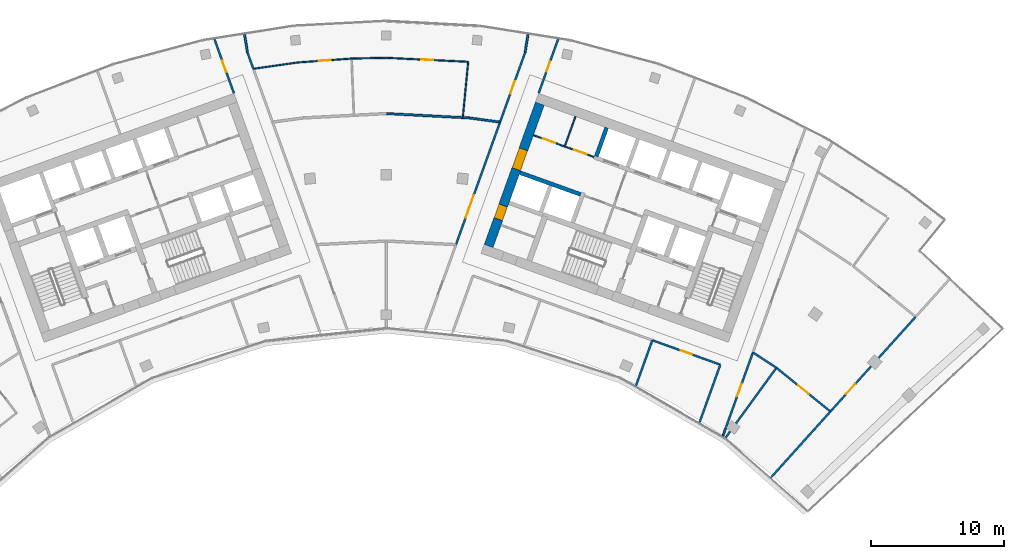
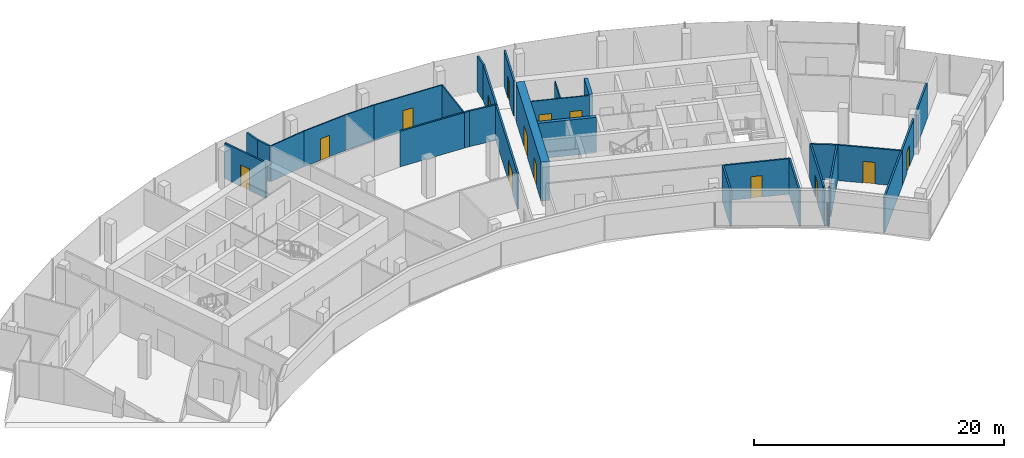
# One storey, part 15 of 18: 32 walls, 14 doors, 14 openings.
"""IFC4 building model written with IfcOpenShell, lengths in metres."""

from ifc_helpers import new_model, si_unit, direction, frame, frame_2d, origin, place, context, subcontext, project, spatial, rectangle, extrude, material, layer, layer_set, type_object, element, fill, save


model = new_model("IFC4")

# Units and contexts
model_context = context("Model", 3, precision=1e-05, world=origin(), true_north=direction((0.0, 1.0)))
body_context = subcontext(model_context, "Body", "Model", "MODEL_VIEW")
ifc_project = project(units=[si_unit("LENGTHUNIT", "METRE"), si_unit("AREAUNIT", "SQUARE_METRE"), si_unit("VOLUMEUNIT", "CUBIC_METRE"), si_unit("PLANEANGLEUNIT", "RADIAN"), si_unit("MASSUNIT", "GRAM", prefix="KILO")], contexts=[model_context])

# Site, building, storey
site_placement = place(None, origin())
site = spatial("IfcSite", under=ifc_project, at=site_placement, CompositionType="ELEMENT")
building_placement = place(site_placement, origin())
building = spatial("IfcBuilding", under=site, at=building_placement, Name="Stone Belt Terrace Tower", CompositionType="ELEMENT")
storey_placement = place(building_placement, frame((0.0, 0.0, 261.800048828125)))
storey = spatial("IfcBuildingStorey", under=building, at=storey_placement, Name="L63", CompositionType="ELEMENT", Elevation=261.800048828125)

# Wall, openings, doors
ifc_material_1 = material(Name="Plasterboard partition")
ifc_layer_1 = layer(ifc_material_1, 0.10009765625)
ifc_layer_set_1 = layer_set([ifc_layer_1], Name="Core partition 100")
wall_type_1 = type_object("IfcWallType", Name="Core partition 100", PredefinedType="PARTITIONING", material=ifc_layer_set_1)
wall_1_placement = place(storey_placement, frame((15.648681640625, 56.32861328125, 0.0), z_axis=(0.0, 0.0, 1.0), x_axis=(-0.940905377977, 0.338669558262, 0.0)))
wall_1 = element("IfcWall", 1, at=wall_1_placement, inside=storey, type_object=wall_type_1, Name="Core B wall", PredefinedType="PARTITIONING", context=body_context, shape_type="SweptSolid", body=[
    extrude(rectangle(XDim=4.85009765625, YDim=0.10009765625, at=frame_2d((2.425048828125, 0.0))), origin(), (0.0, 0.0, 1.0), 3.47998046875),
])
opening_1_placement = place(wall_1_placement, frame((0.60009765625, 0.0, 0.0)))
opening_1 = element("IfcOpeningElement", 2, at=opening_1_placement, cuts=wall_1, Name="Opening L63-C16", PredefinedType="OPENING", context=body_context, shape_type="SweptSolid", body=[
    extrude(rectangle(XDim=1.0, YDim=2.10009765625, at=frame_2d((0.5, 1.050048828125))), frame((0.0, 0.06005859375, 0.0), z_axis=(0.0, -1.0, 0.0), x_axis=(1.0, 0.0, 0.0)), (0.0, 0.0, 1.0), 0.1201171875),
])
opening_2_placement = place(wall_1_placement, frame((3.10009765625, 0.0, 0.0)))
opening_2 = element("IfcOpeningElement", 3, at=opening_2_placement, cuts=wall_1, Name="Opening L63-C17", PredefinedType="OPENING", context=body_context, shape_type="SweptSolid", body=[
    extrude(rectangle(XDim=1.0, YDim=2.10009765625, at=frame_2d((0.5, 1.050048828125))), frame((0.0, 0.06005859375, 0.0), z_axis=(0.0, -1.0, 0.0), x_axis=(1.0, 0.0, 0.0)), (0.0, 0.0, 1.0), 0.1201171875),
])
ifc_material_2 = material(Name="Timber door leaf", Category="wood")
door_type_1 = type_object("IfcDoorType", Name="Core room door 1000", OperationType="SINGLE_SWING_LEFT", PredefinedType="DOOR", material=ifc_material_2)
door_1_placement = place(opening_1_placement, origin())
door_1 = element("IfcDoor", 4, at=door_1_placement, inside=storey, type_object=door_type_1, Name="Door to Print and copy room core B", OperationType="SINGLE_SWING_LEFT", OverallHeight=2.10009765625, OverallWidth=1.0, PredefinedType="DOOR", context=body_context, shape_type="SweptSolid", body=[
    extrude(rectangle(XDim=1.0, YDim=2.10009765625, at=frame_2d((0.5, 1.050048828125))), frame((0.0, 0.02490234375, 0.0), z_axis=(0.0, -1.0, 0.0), x_axis=(1.0, 0.0, 0.0)), (0.0, 0.0, 1.0), 0.050048828125),
])
fill(opening_1, door_1)
door_2_placement = place(opening_2_placement, origin())
door_2 = element("IfcDoor", 5, at=door_2_placement, inside=storey, type_object=door_type_1, Name="Door to Pantry core B", OperationType="SINGLE_SWING_RIGHT", OverallHeight=2.10009765625, OverallWidth=1.0, PredefinedType="DOOR", context=body_context, shape_type="SweptSolid", body=[
    extrude(rectangle(XDim=1.0, YDim=2.10009765625, at=frame_2d((0.5, 1.050048828125))), frame((0.0, 0.02490234375, 0.0), z_axis=(0.0, -1.0, 0.0), x_axis=(1.0, 0.0, 0.0)), (0.0, 0.0, 1.0), 0.050048828125),
])
fill(opening_2, door_2)

# Wall
wall_2_placement = place(storey_placement, frame((13.45458984375, 57.171630859375, 0.0), z_axis=(0.0, 0.0, 1.0), x_axis=(0.338579668317, 0.940937728121, 0.0)))
element("IfcWall", 6, at=wall_2_placement, inside=storey, type_object=wall_type_1, Name="Core B wall", PredefinedType="PARTITIONING", context=body_context, shape_type="SweptSolid", body=[
    extrude(rectangle(XDim=2.35009765625, YDim=0.10009765625, at=frame_2d((1.175048828125, 0.0))), origin(), (0.0, 0.0, 1.0), 3.47998046875),
])

# Wall, openings, doors
ifc_material_3 = material(Name="Concrete B60", Category="concrete")
ifc_layer_2 = layer(ifc_material_3, 0.699951171875)
ifc_layer_set_2 = layer_set([ifc_layer_2], Name="Core wall 700 B60")
wall_type_2 = type_object("IfcWallType", Name="Core wall 700 B60", PredefinedType="SHEAR", material=ifc_layer_set_2)
wall_3_placement = place(storey_placement, frame((7.70849609375, 49.621337890625, 0.0), z_axis=(0.0, 0.0, 1.0), x_axis=(0.338606471282, 0.940928083121, 0.0)))
wall_3 = element("IfcWall", 7, at=wall_3_placement, inside=storey, type_object=wall_type_2, Name="Core B wall end_a L63", PredefinedType="SHEAR", context=body_context, shape_type="SweptSolid", body=[
    extrude(rectangle(XDim=11.39990234375, YDim=0.699951171875, at=frame_2d((5.699951171875, 0.0))), origin(), (0.0, 0.0, 1.0), 3.800048828125),
])
opening_3_placement = place(wall_3_placement, frame((6.14990234375, 0.0, 0.0)))
opening_3 = element("IfcOpeningElement", 8, at=opening_3_placement, cuts=wall_3, Name="Opening L63-C23", PredefinedType="OPENING", context=body_context, shape_type="SweptSolid", body=[
    extrude(rectangle(XDim=1.60009765625, YDim=2.10009765625, at=frame_2d((0.800048828125, 1.050048828125))), frame((0.0, 0.35986328125, 0.0), z_axis=(0.0, -1.0, 0.0), x_axis=(1.0, 0.0, 0.0)), (0.0, 0.0, 1.0), 0.719970703125),
])
opening_4_placement = place(wall_3_placement, frame((2.14990234375, 0.0, 0.0)))
opening_4 = element("IfcOpeningElement", 9, at=opening_4_placement, cuts=wall_3, Name="Opening L63-C29", PredefinedType="OPENING", context=body_context, shape_type="SweptSolid", body=[
    extrude(rectangle(XDim=1.10009765625, YDim=2.10009765625, at=frame_2d((0.550048828125, 1.050048828125))), frame((0.0, 0.35986328125, 0.0), z_axis=(0.0, -1.0, 0.0), x_axis=(1.0, 0.0, 0.0)), (0.0, 0.0, 1.0), 0.719970703125),
])
door_type_2 = type_object("IfcDoorType", Name="Core room door 1100", OperationType="SINGLE_SWING_LEFT", PredefinedType="DOOR", material=ifc_material_2)
door_3_placement = place(opening_4_placement, origin())
door_3 = element("IfcDoor", 10, at=door_3_placement, inside=storey, type_object=door_type_2, Name="Door to Accessible WC core B", OperationType="SINGLE_SWING_RIGHT", OverallHeight=2.10009765625, OverallWidth=1.10009765625, PredefinedType="DOOR", context=body_context, shape_type="SweptSolid", body=[
    extrude(rectangle(XDim=1.10009765625, YDim=2.10009765625, at=frame_2d((0.550048828125, 1.050048828125))), frame((0.0, 0.330078125, 0.0), z_axis=(0.0, -1.0, 0.0), x_axis=(1.0, 0.0, 0.0)), (0.0, 0.0, 1.0), 0.659912109375),
])
fill(opening_4, door_3)
ifc_material_4 = material(Name="Glazed aluminium door leaf", Category="aluminium")
door_type_3 = type_object("IfcDoorType", Name="Lift lobby entrance door 1600", OperationType="DOUBLE_DOOR_SINGLE_SWING", PredefinedType="DOOR", material=ifc_material_4)
door_4_placement = place(opening_3_placement, origin())
door_4 = element("IfcDoor", 11, at=door_4_placement, inside=storey, type_object=door_type_3, Name="Lift lobby entrance door core B", OperationType="DOUBLE_DOOR_SINGLE_SWING", OverallHeight=2.10009765625, OverallWidth=1.60009765625, PredefinedType="DOOR", context=body_context, shape_type="SweptSolid", body=[
    extrude(rectangle(XDim=1.60009765625, YDim=2.10009765625, at=frame_2d((0.800048828125, 1.050048828125))), frame((0.0, 0.330078125, 0.0), z_axis=(0.0, -1.0, 0.0), x_axis=(1.0, 0.0, 0.0)), (0.0, 0.0, 1.0), 0.659912109375),
])
fill(opening_3, door_4)

# Walls
ifc_material_5 = material(Name="Concrete B80", Category="concrete")
ifc_layer_3 = layer(ifc_material_5, 0.300048828125)
ifc_layer_set_3 = layer_set([ifc_layer_3], Name="Lift shaft wall 300")
wall_type_3 = type_object("IfcWallType", Name="Lift shaft wall 300", PredefinedType="SHEAR", material=ifc_layer_set_3)
wall_4_placement = place(storey_placement, frame((14.6328125, 53.506103515625, 0.0), z_axis=(0.0, 0.0, 1.0), x_axis=(-0.940931684323, 0.338596464007, 0.0)))
element("IfcWall", 12, at=wall_4_placement, inside=storey, type_object=wall_type_3, Name="Core B wall", PredefinedType="SHEAR", context=body_context, shape_type="SweptSolid", body=[
    extrude(rectangle(XDim=4.849609375, YDim=0.300048828125, at=frame_2d((2.4248046875, 0.0))), origin(), (0.0, 0.0, 1.0), 3.47998046875),
])
wall_5_placement = place(storey_placement, frame((15.82373046875, 56.3720703125, 0.0), z_axis=(0.0, 0.0, 1.0), x_axis=(0.338621735342, 0.94092258999, 0.0)))
element("IfcWall", 13, at=wall_5_placement, inside=storey, type_object=wall_type_3, Name="Core B wall", PredefinedType="SHEAR", context=body_context, shape_type="SweptSolid", body=[
    extrude(rectangle(XDim=2.300048828125, YDim=0.300048828125, at=frame_2d((1.14990234375, 0.0))), origin(), (0.0, 0.0, 1.0), 3.47998046875),
])

# Wall, opening, door
ifc_material_6 = material(Name="Gypsum board partition")
ifc_layer_4 = layer(ifc_material_6, 0.10009765625)
ifc_layer_set_4 = layer_set([ifc_layer_4], Name="PARTITION 100")
wall_type_4 = type_object("IfcWallType", Name="PARTITION 100", PredefinedType="PARTITIONING", material=ifc_layer_set_4)
wall_6_placement = place(storey_placement, frame((-2.615966796875, 63.74609375, 0.0), z_axis=(0.0, 0.0, 1.0), x_axis=(-0.997341183584, -0.072873613378, 0.0)))
wall_6 = element("IfcWall", 14, at=wall_6_placement, inside=storey, type_object=wall_type_4, Name="L63/wall/i079", PredefinedType="PARTITIONING", context=body_context, shape_type="SweptSolid", body=[
    extrude(rectangle(XDim=4.063720703125, YDim=0.10009765625, at=frame_2d((2.03173828125, 0.0))), origin(), (0.0, 0.0, 1.0), 3.47998046875),
])
opening_5_placement = place(wall_6_placement, frame((1.581787109375, 0.0, 0.0)))
opening_5 = element("IfcOpeningElement", 15, at=opening_5_placement, cuts=wall_6, Name="Opening D-E1-28", PredefinedType="OPENING", context=body_context, shape_type="SweptSolid", body=[
    extrude(rectangle(XDim=0.89990234375, YDim=2.10009765625, at=frame_2d((0.449951171875, 1.050048828125))), frame((0.0, 0.06005859375, 0.0), z_axis=(0.0, -1.0, 0.0), x_axis=(1.0, 0.0, 0.0)), (0.0, 0.0, 1.0), 0.1201171875),
])
door_type_4 = type_object("IfcDoorType", Name="OFFICE DOOR 900 X 2100", OperationType="NOTDEFINED", PredefinedType="DOOR", material=ifc_material_2)
door_5_placement = place(opening_5_placement, origin())
door_5 = element("IfcDoor", 16, at=door_5_placement, inside=storey, type_object=door_type_4, Name="L63/door/i28", OperationType="SINGLE_SWING_RIGHT", OverallHeight=2.10009765625, OverallWidth=0.89990234375, PredefinedType="DOOR", context=body_context, shape_type="SweptSolid", body=[
    extrude(rectangle(XDim=0.89990234375, YDim=2.10009765625, at=frame_2d((0.449951171875, 1.050048828125))), frame((0.0, 0.02490234375, 0.0), z_axis=(0.0, -1.0, 0.0), x_axis=(1.0, 0.0, 0.0)), (0.0, 0.0, 1.0), 0.050048828125),
])
fill(opening_5, door_5)

# Walls
wall_7_placement = place(storey_placement, frame((-6.6689453125, 63.449951171875, 0.0), z_axis=(0.0, 0.0, 1.0), x_axis=(-0.989995655043, -0.141097849012, 0.0)))
element("IfcWall", 17, at=wall_7_placement, inside=storey, type_object=wall_type_4, Name="L63/wall/i080", PredefinedType="PARTITIONING", context=body_context, shape_type="SweptSolid", body=[
    extrude(rectangle(XDim=3.381103515625, YDim=0.10009765625, at=frame_2d((1.6904296875, 0.0))), origin(), (0.0, 0.0, 1.0), 3.47998046875),
])
wall_8_placement = place(storey_placement, frame((5.761962890625, 59.298095703125, 0.0), z_axis=(0.0, 0.0, 1.0), x_axis=(0.096841544276, 0.995299811766, 0.0)))
element("IfcWall", 18, at=wall_8_placement, inside=storey, type_object=wall_type_4, Name="L63/wall/i081", PredefinedType="PARTITIONING", context=body_context, shape_type="SweptSolid", body=[
    extrude(rectangle(XDim=4.22265625, YDim=0.10009765625, at=frame_2d((2.111328125, 0.0))), origin(), (0.0, 0.0, 1.0), 3.47998046875),
])

# Wall, opening, door
wall_9_placement = place(storey_placement, frame((6.1708984375, 63.5009765625, 0.0), z_axis=(0.0, 0.0, 1.0), x_axis=(-0.998827639329, 0.048408128587, 0.0)))
wall_9 = element("IfcWall", 19, at=wall_9_placement, inside=storey, type_object=wall_type_4, Name="L63/wall/i082", PredefinedType="PARTITIONING", context=body_context, shape_type="SweptSolid", body=[
    extrude(rectangle(XDim=6.17822265625, YDim=0.10009765625, at=frame_2d((3.089111328125, 0.0))), origin(), (0.0, 0.0, 1.0), 3.47998046875),
])
opening_6_placement = place(wall_9_placement, frame((2.63916015625, 0.0, 0.0)))
opening_6 = element("IfcOpeningElement", 20, at=opening_6_placement, cuts=wall_9, Name="Opening D-E1-29", PredefinedType="OPENING", context=body_context, shape_type="SweptSolid", body=[
    extrude(rectangle(XDim=0.89990234375, YDim=2.10009765625, at=frame_2d((0.449951171875, 1.050048828125))), frame((0.0, 0.06005859375, 0.0), z_axis=(0.0, -1.0, 0.0), x_axis=(1.0, 0.0, 0.0)), (0.0, 0.0, 1.0), 0.1201171875),
])
door_6_placement = place(opening_6_placement, origin())
door_6 = element("IfcDoor", 21, at=door_6_placement, inside=storey, type_object=door_type_4, Name="L63/door/i29", OperationType="SINGLE_SWING_RIGHT", OverallHeight=2.10009765625, OverallWidth=0.89990234375, PredefinedType="DOOR", context=body_context, shape_type="SweptSolid", body=[
    extrude(rectangle(XDim=0.89990234375, YDim=2.10009765625, at=frame_2d((0.449951171875, 1.050048828125))), frame((0.0, 0.02490234375, 0.0), z_axis=(0.0, -1.0, 0.0), x_axis=(1.0, 0.0, 0.0)), (0.0, 0.0, 1.0), 0.050048828125),
])
fill(opening_6, door_6)

# Wall
wall_10_placement = place(storey_placement, frame((0.0, 63.800048828125, 0.0), z_axis=(0.0, 0.0, 1.0), x_axis=(-0.999787366511, -0.020620906019, 0.0)))
element("IfcWall", 22, at=wall_10_placement, inside=storey, type_object=wall_type_4, Name="L63/wall/i083", PredefinedType="PARTITIONING", context=body_context, shape_type="SweptSolid", body=[
    extrude(rectangle(XDim=2.616455078125, YDim=0.10009765625, at=frame_2d((1.30810546875, 0.0))), origin(), (0.0, 0.0, 1.0), 3.47998046875),
])

# Wall, opening, door
ifc_layer_5 = layer(ifc_material_6, 0.14990234375)
ifc_layer_set_5 = layer_set([ifc_layer_5], Name="PARTITION 150 EI 60")
wall_type_5 = type_object("IfcWallType", Name="PARTITION 150 EI 60", PredefinedType="PARTITIONING", material=ifc_layer_set_5)
wall_11_placement = place(storey_placement, frame((-11.47607421875, 61.125, 0.0), z_axis=(0.0, 0.0, 1.0), x_axis=(-0.338779570005, 0.940865773077, 0.0)))
wall_11 = element("IfcWall", 23, at=wall_11_placement, inside=storey, type_object=wall_type_5, Name="L63/wall/i010", PredefinedType="PARTITIONING", context=body_context, shape_type="SweptSolid", body=[
    extrude(rectangle(XDim=4.315185546875, YDim=0.14990234375, at=frame_2d((2.15771484375, 0.0))), origin(), (0.0, 0.0, 1.0), 3.47998046875),
])
opening_7_placement = place(wall_11_placement, frame((1.70751953125, 0.0, 0.0)))
opening_7 = element("IfcOpeningElement", 24, at=opening_7_placement, cuts=wall_11, Name="Opening D-E1-05", PredefinedType="OPENING", context=body_context, shape_type="SweptSolid", body=[
    extrude(rectangle(XDim=0.89990234375, YDim=2.10009765625, at=frame_2d((0.449951171875, 1.050048828125))), frame((0.0, 0.0849609375, 0.0), z_axis=(0.0, -1.0, 0.0), x_axis=(1.0, 0.0, 0.0)), (0.0, 0.0, 1.0), 0.169921875),
])
door_7_placement = place(opening_7_placement, origin())
door_7 = element("IfcDoor", 25, at=door_7_placement, inside=storey, type_object=door_type_4, Name="L63/door/i05", OperationType="SINGLE_SWING_RIGHT", OverallHeight=2.10009765625, OverallWidth=0.89990234375, PredefinedType="DOOR", context=body_context, shape_type="SweptSolid", body=[
    extrude(rectangle(XDim=0.89990234375, YDim=2.10009765625, at=frame_2d((0.449951171875, 1.050048828125))), frame((0.0, 0.02490234375, 0.0), z_axis=(0.0, -1.0, 0.0), x_axis=(1.0, 0.0, 0.0)), (0.0, 0.0, 1.0), 0.050048828125),
])
fill(opening_7, door_7)

# Walls
wall_12_placement = place(storey_placement, frame((-10.676025390625, 65.544677734375, 0.0), z_axis=(0.0, 0.0, 1.0), x_axis=(0.161206587406, -0.986920683833, 0.0)))
element("IfcWall", 26, at=wall_12_placement, inside=storey, type_object=wall_type_5, Name="L63/wall/i012", PredefinedType="PARTITIONING", context=body_context, shape_type="SweptSolid", body=[
    extrude(rectangle(XDim=1.364501953125, YDim=0.14990234375, at=frame_2d((0.68212890625, 0.0))), origin(), (0.0, 0.0, 1.0), 3.47998046875),
])
wall_13_placement = place(storey_placement, frame((-10.4560546875, 64.197021484375, 0.0), z_axis=(0.0, 0.0, 1.0), x_axis=(0.338937678116, -0.94080882774, 0.0)))
element("IfcWall", 27, at=wall_13_placement, inside=storey, type_object=wall_type_5, Name="L63/wall/i013", PredefinedType="PARTITIONING", context=body_context, shape_type="SweptSolid", body=[
    extrude(rectangle(XDim=1.307373046875, YDim=0.14990234375, at=frame_2d((0.65380859375, 0.0))), origin(), (0.0, 0.0, 1.0), 3.47998046875),
])

# Wall, opening, door
wall_14_placement = place(storey_placement, frame((12.93798828125, 65.18505859375, 0.0), z_axis=(0.0, 0.0, 1.0), x_axis=(-0.338779570005, -0.940865773077, 0.0)))
wall_14 = element("IfcWall", 28, at=wall_14_placement, inside=storey, type_object=wall_type_5, Name="L63/wall/i023", PredefinedType="PARTITIONING", context=body_context, shape_type="SweptSolid", body=[
    extrude(rectangle(XDim=4.315185546875, YDim=0.14990234375, at=frame_2d((2.15771484375, 0.0))), origin(), (0.0, 0.0, 1.0), 3.47998046875),
])
opening_8_placement = place(wall_14_placement, frame((1.757568359375, 0.0, 0.0)))
opening_8 = element("IfcOpeningElement", 29, at=opening_8_placement, cuts=wall_14, Name="Opening D-E1-09", PredefinedType="OPENING", context=body_context, shape_type="SweptSolid", body=[
    extrude(rectangle(XDim=0.800048828125, YDim=2.10009765625, at=frame_2d((0.39990234375, 1.050048828125))), frame((0.0, 0.0849609375, 0.0), z_axis=(0.0, -1.0, 0.0), x_axis=(1.0, 0.0, 0.0)), (0.0, 0.0, 1.0), 0.169921875),
])
door_type_5 = type_object("IfcDoorType", Name="STORE DOOR 800 X 2100", OperationType="NOTDEFINED", PredefinedType="DOOR", material=ifc_material_2)
door_8_placement = place(opening_8_placement, origin())
door_8 = element("IfcDoor", 30, at=door_8_placement, inside=storey, type_object=door_type_5, Name="L63/door/i09", OperationType="SINGLE_SWING_RIGHT", OverallHeight=2.10009765625, OverallWidth=0.800048828125, PredefinedType="DOOR", context=body_context, shape_type="SweptSolid", body=[
    extrude(rectangle(XDim=0.800048828125, YDim=2.10009765625, at=frame_2d((0.39990234375, 1.050048828125))), frame((0.0, 0.02490234375, 0.0), z_axis=(0.0, -1.0, 0.0), x_axis=(1.0, 0.0, 0.0)), (0.0, 0.0, 1.0), 0.050048828125),
])
fill(opening_8, door_8)

wall_15_placement = place(storey_placement, frame((8.569091796875, 58.9541015625, 0.0), z_axis=(0.0, 0.0, 1.0), x_axis=(0.33864189196, 0.940915335729, 0.0)))
wall_15 = element("IfcWall", 31, at=wall_15_placement, inside=storey, type_object=wall_type_5, Name="L63/wall/i025", PredefinedType="PARTITIONING", context=body_context, shape_type="SweptSolid", body=[
    extrude(rectangle(XDim=5.572265625, YDim=0.14990234375, at=frame_2d((2.7861328125, 0.0))), origin(), (0.0, 0.0, 1.0), 3.47998046875),
])
opening_9_placement = place(wall_15_placement, frame((2.2861328125, 0.0, 0.0)))
opening_9 = element("IfcOpeningElement", 32, at=opening_9_placement, cuts=wall_15, Name="Opening D-E1-27", PredefinedType="OPENING", context=body_context, shape_type="SweptSolid", body=[
    extrude(rectangle(XDim=1.0, YDim=2.10009765625, at=frame_2d((0.5, 1.050048828125))), frame((0.0, 0.0849609375, 0.0), z_axis=(0.0, -1.0, 0.0), x_axis=(1.0, 0.0, 0.0)), (0.0, 0.0, 1.0), 0.169921875),
])
ifc_material_7 = material(Name="Timber fire door leaf", Category="wood")
door_type_6 = type_object("IfcDoorType", Name="TENANCY ENTRANCE DOOR 1000 X 2100", OperationType="NOTDEFINED", PredefinedType="DOOR", material=ifc_material_7)
door_9_placement = place(opening_9_placement, origin())
door_9 = element("IfcDoor", 33, at=door_9_placement, inside=storey, type_object=door_type_6, Name="L63/door/i27", OperationType="SINGLE_SWING_RIGHT", OverallHeight=2.10009765625, OverallWidth=1.0, PredefinedType="DOOR", context=body_context, shape_type="SweptSolid", body=[
    extrude(rectangle(XDim=1.0, YDim=2.10009765625, at=frame_2d((0.5, 1.050048828125))), frame((0.0, 0.02490234375, 0.0), z_axis=(0.0, -1.0, 0.0), x_axis=(1.0, 0.0, 0.0)), (0.0, 0.0, 1.0), 0.050048828125),
])
fill(opening_9, door_9)

# Wall
wall_16_placement = place(storey_placement, frame((10.4560546875, 64.197998046875, 0.0), z_axis=(0.0, 0.0, 1.0), x_axis=(0.161206587406, 0.986920683833, 0.0)))
element("IfcWall", 34, at=wall_16_placement, inside=storey, type_object=wall_type_5, Name="L63/wall/i026", PredefinedType="PARTITIONING", context=body_context, shape_type="SweptSolid", body=[
    extrude(rectangle(XDim=1.364501953125, YDim=0.14990234375, at=frame_2d((0.68212890625, 0.0))), origin(), (0.0, 0.0, 1.0), 3.47998046875),
])

# Wall, opening, door
wall_17_placement = place(storey_placement, frame((5.2451171875, 49.717041015625, 0.0), z_axis=(0.0, 0.0, 1.0), x_axis=(0.338560271088, 0.940944707643, 0.0)))
wall_17 = element("IfcWall", 35, at=wall_17_placement, inside=storey, type_object=wall_type_5, Name="L63/wall/i027", PredefinedType="PARTITIONING", context=body_context, shape_type="SweptSolid", body=[
    extrude(rectangle(XDim=9.82958984375, YDim=0.14990234375, at=frame_2d((4.914794921875, 0.0))), origin(), (0.0, 0.0, 1.0), 3.47998046875),
])
opening_10_placement = place(wall_17_placement, frame((2.157470703125, 0.0, 0.0)))
opening_10 = element("IfcOpeningElement", 36, at=opening_10_placement, cuts=wall_17, Name="Opening D-E1-30", PredefinedType="OPENING", context=body_context, shape_type="SweptSolid", body=[
    extrude(rectangle(XDim=1.800048828125, YDim=2.10009765625, at=frame_2d((0.89990234375, 1.050048828125))), frame((0.0, 0.0849609375, 0.0), z_axis=(0.0, -1.0, 0.0), x_axis=(1.0, 0.0, 0.0)), (0.0, 0.0, 1.0), 0.169921875),
])
door_type_7 = type_object("IfcDoorType", Name="DOUBLE DOOR 1800 X 2100", OperationType="DOUBLE_DOOR_SINGLE_SWING", PredefinedType="DOOR", material=ifc_material_2)
door_10_placement = place(opening_10_placement, origin())
door_10 = element("IfcDoor", 37, at=door_10_placement, inside=storey, type_object=door_type_7, Name="L63/door/i30", OperationType="DOUBLE_DOOR_SINGLE_SWING", OverallHeight=2.10009765625, OverallWidth=1.800048828125, PredefinedType="DOOR", context=body_context, shape_type="SweptSolid", body=[
    extrude(rectangle(XDim=1.800048828125, YDim=2.10009765625, at=frame_2d((0.89990234375, 1.050048828125))), frame((0.0, 0.02490234375, 0.0), z_axis=(0.0, -1.0, 0.0), x_axis=(1.0, 0.0, 0.0)), (0.0, 0.0, 1.0), 0.050048828125),
])
fill(opening_10, door_10)

# Wall
wall_18_placement = place(storey_placement, frame((23.596435546875, 36.3310546875, 0.0), z_axis=(0.0, 0.0, 1.0), x_axis=(0.338672803798, 0.940904209773, 0.0)))
element("IfcWall", 38, at=wall_18_placement, inside=storey, type_object=wall_type_5, Name="L63/wall/i028", PredefinedType="PARTITIONING", context=body_context, shape_type="SweptSolid", body=[
    extrude(rectangle(XDim=4.631591796875, YDim=0.14990234375, at=frame_2d((2.31591796875, 0.0))), origin(), (0.0, 0.0, 1.0), 3.47998046875),
])

# Wall, opening, door
wall_19_placement = place(storey_placement, frame((27.6220703125, 41.613037109375, 0.0), z_axis=(0.0, 0.0, 1.0), x_axis=(-0.338636303074, -0.940917347188, 0.0)))
wall_19 = element("IfcWall", 39, at=wall_19_placement, inside=storey, type_object=wall_type_5, Name="L63/wall/i030", PredefinedType="PARTITIONING", context=body_context, shape_type="SweptSolid", body=[
    extrude(rectangle(XDim=6.029296875, YDim=0.14990234375, at=frame_2d((3.0146484375, 0.0))), origin(), (0.0, 0.0, 1.0), 3.47998046875),
])
opening_11_placement = place(wall_19_placement, frame((2.5146484375, 0.0, 0.0)))
opening_11 = element("IfcOpeningElement", 40, at=opening_11_placement, cuts=wall_19, Name="Opening D-E1-20", PredefinedType="OPENING", context=body_context, shape_type="SweptSolid", body=[
    extrude(rectangle(XDim=1.0, YDim=2.10009765625, at=frame_2d((0.5, 1.050048828125))), frame((0.0, 0.0849609375, 0.0), z_axis=(0.0, -1.0, 0.0), x_axis=(1.0, 0.0, 0.0)), (0.0, 0.0, 1.0), 0.169921875),
])
door_11_placement = place(opening_11_placement, origin())
door_11 = element("IfcDoor", 41, at=door_11_placement, inside=storey, type_object=door_type_6, Name="L63/door/i20", OperationType="SINGLE_SWING_RIGHT", OverallHeight=2.10009765625, OverallWidth=1.0, PredefinedType="DOOR", context=body_context, shape_type="SweptSolid", body=[
    extrude(rectangle(XDim=1.0, YDim=2.10009765625, at=frame_2d((0.5, 1.050048828125))), frame((0.0, 0.02490234375, 0.0), z_axis=(0.0, -1.0, 0.0), x_axis=(1.0, 0.0, 0.0)), (0.0, 0.0, 1.0), 0.050048828125),
])
fill(opening_11, door_11)

# Wall
wall_20_placement = place(storey_placement, frame((25.56591796875, 35.900146484375, 0.0), z_axis=(0.0, 0.0, 1.0), x_axis=(-0.338533716033, -0.940954261964, 0.0)))
element("IfcWall", 42, at=wall_20_placement, inside=storey, type_object=wall_type_5, Name="L63/wall/i031", PredefinedType="PARTITIONING", context=body_context, shape_type="SweptSolid", body=[
    extrude(rectangle(XDim=0.60498046875, YDim=0.14990234375, at=frame_2d((0.302490234375, 0.0))), origin(), (0.0, 0.0, 1.0), 3.47998046875),
])

# Wall, opening, door
wall_21_placement = place(storey_placement, frame((25.1630859375, 40.68310546875, 0.0), z_axis=(0.0, 0.0, 1.0), x_axis=(-0.940955920233, 0.338529106841, 0.0)))
wall_21 = element("IfcWall", 43, at=wall_21_placement, inside=storey, type_object=wall_type_5, Name="L63/wall/i038", PredefinedType="PARTITIONING", context=body_context, shape_type="SweptSolid", body=[
    extrude(rectangle(XDim=5.449951171875, YDim=0.14990234375, at=frame_2d((2.72509765625, 0.0))), origin(), (0.0, 0.0, 1.0), 3.47998046875),
])
opening_12_placement = place(wall_21_placement, frame((2.27490234375, 0.0, 0.0)))
opening_12 = element("IfcOpeningElement", 44, at=opening_12_placement, cuts=wall_21, Name="Opening D-E1-08", PredefinedType="OPENING", context=body_context, shape_type="SweptSolid", body=[
    extrude(rectangle(XDim=0.89990234375, YDim=2.10009765625, at=frame_2d((0.449951171875, 1.050048828125))), frame((0.0, 0.0849609375, 0.0), z_axis=(0.0, -1.0, 0.0), x_axis=(1.0, 0.0, 0.0)), (0.0, 0.0, 1.0), 0.169921875),
])
door_12_placement = place(opening_12_placement, origin())
door_12 = element("IfcDoor", 45, at=door_12_placement, inside=storey, type_object=door_type_4, Name="L63/door/i08", OperationType="SINGLE_SWING_RIGHT", OverallHeight=2.10009765625, OverallWidth=0.89990234375, PredefinedType="DOOR", context=body_context, shape_type="SweptSolid", body=[
    extrude(rectangle(XDim=0.89990234375, YDim=2.10009765625, at=frame_2d((0.449951171875, 1.050048828125))), frame((0.0, 0.02490234375, 0.0), z_axis=(0.0, -1.0, 0.0), x_axis=(1.0, 0.0, 0.0)), (0.0, 0.0, 1.0), 0.050048828125),
])
fill(opening_12, door_12)

# Walls
wall_22_placement = place(storey_placement, frame((20.041015625, 42.52587890625, 0.0), z_axis=(0.0, 0.0, 1.0), x_axis=(-0.338584271285, -0.940936071813, 0.0)))
element("IfcWall", 46, at=wall_22_placement, inside=storey, type_object=wall_type_5, Name="L63/wall/i040", PredefinedType="PARTITIONING", context=body_context, shape_type="SweptSolid", body=[
    extrude(rectangle(XDim=3.64501953125, YDim=0.14990234375, at=frame_2d((1.822509765625, 0.0))), origin(), (0.0, 0.0, 1.0), 3.47998046875),
])
wall_23_placement = place(storey_placement, frame((28.97802734375, 32.182373046875, 0.0), z_axis=(0.0, 0.0, 1.0), x_axis=(0.669149941442, 0.743127415635, 0.0)))
element("IfcWall", 47, at=wall_23_placement, inside=storey, type_object=wall_type_5, Name="L63/wall/i063", PredefinedType="PARTITIONING", context=body_context, shape_type="SweptSolid", body=[
    extrude(rectangle(XDim=6.699462890625, YDim=0.14990234375, at=frame_2d((3.349609375, 0.0))), origin(), (0.0, 0.0, 1.0), 3.47998046875),
])

# Wall, opening, door
wall_24_placement = place(storey_placement, frame((36.514892578125, 40.552978515625, 0.0), z_axis=(0.0, 0.0, 1.0), x_axis=(-0.669112093369, -0.74316149423, 0.0)))
wall_24 = element("IfcWall", 48, at=wall_24_placement, inside=storey, type_object=wall_type_5, Name="L63/wall/i065", PredefinedType="PARTITIONING", context=body_context, shape_type="SweptSolid", body=[
    extrude(rectangle(XDim=4.576171875, YDim=0.14990234375, at=frame_2d((2.2880859375, 0.0))), origin(), (0.0, 0.0, 1.0), 3.47998046875),
])
opening_13_placement = place(wall_24_placement, frame((1.7880859375, 0.0, 0.0)))
opening_13 = element("IfcOpeningElement", 49, at=opening_13_placement, cuts=wall_24, Name="Opening D-E1-19", PredefinedType="OPENING", context=body_context, shape_type="SweptSolid", body=[
    extrude(rectangle(XDim=1.0, YDim=2.10009765625, at=frame_2d((0.5, 1.050048828125))), frame((0.0, 0.0849609375, 0.0), z_axis=(0.0, -1.0, 0.0), x_axis=(1.0, 0.0, 0.0)), (0.0, 0.0, 1.0), 0.169921875),
])
door_13_placement = place(opening_13_placement, origin())
door_13 = element("IfcDoor", 50, at=door_13_placement, inside=storey, type_object=door_type_6, Name="L63/door/i19", OperationType="SINGLE_SWING_RIGHT", OverallHeight=2.10009765625, OverallWidth=1.0, PredefinedType="DOOR", context=body_context, shape_type="SweptSolid", body=[
    extrude(rectangle(XDim=1.0, YDim=2.10009765625, at=frame_2d((0.5, 1.050048828125))), frame((0.0, 0.02490234375, 0.0), z_axis=(0.0, -1.0, 0.0), x_axis=(1.0, 0.0, 0.0)), (0.0, 0.0, 1.0), 0.050048828125),
])
fill(opening_13, door_13)

# Walls
wall_25_placement = place(storey_placement, frame((37.09033203125, 41.192138671875, 0.0), z_axis=(0.0, 0.0, 1.0), x_axis=(0.669123017422, 0.743151658517, 0.0)))
element("IfcWall", 51, at=wall_25_placement, inside=storey, type_object=wall_type_5, Name="L63/wall/i066", PredefinedType="PARTITIONING", context=body_context, shape_type="SweptSolid", body=[
    extrude(rectangle(XDim=4.175048828125, YDim=0.14990234375, at=frame_2d((2.08740234375, 0.0))), origin(), (0.0, 0.0, 1.0), 3.47998046875),
])
wall_26_placement = place(storey_placement, frame((29.388916015625, 40.450927734375, 0.0), z_axis=(0.0, 0.0, 1.0), x_axis=(-0.587792932673, -0.809011414196, 0.0)))
element("IfcWall", 52, at=wall_26_placement, inside=storey, type_object=wall_type_5, Name="L63/wall/i067", PredefinedType="PARTITIONING", context=body_context, shape_type="SweptSolid", body=[
    extrude(rectangle(XDim=5.1748046875, YDim=0.14990234375, at=frame_2d((2.58740234375, 0.0))), origin(), (0.0, 0.0, 1.0), 3.47998046875),
])
wall_27_placement = place(storey_placement, frame((25.900634765625, 35.6494140625, 0.0), z_axis=(0.0, 0.0, 1.0), x_axis=(-0.588120346537, -0.808773428093, 0.0)))
element("IfcWall", 53, at=wall_27_placement, inside=storey, type_object=wall_type_5, Name="L63/wall/i068", PredefinedType="PARTITIONING", context=body_context, shape_type="SweptSolid", body=[
    extrude(rectangle(XDim=0.5654296875, YDim=0.14990234375, at=frame_2d((0.28271484375, 0.0))), origin(), (0.0, 0.0, 1.0), 3.47998046875),
])
wall_28_placement = place(storey_placement, frame((27.6201171875, 41.60693359375, 0.0), z_axis=(0.0, 0.0, 1.0), x_axis=(0.837081543775, -0.547078137995, 0.0)))
element("IfcWall", 54, at=wall_28_placement, inside=storey, type_object=wall_type_5, Name="L63/wall/i069", PredefinedType="PARTITIONING", context=body_context, shape_type="SweptSolid", body=[
    extrude(rectangle(XDim=2.113037109375, YDim=0.14990234375, at=frame_2d((1.056640625, 0.0))), origin(), (0.0, 0.0, 1.0), 3.47998046875),
])

# Wall, opening, door
wall_29_placement = place(storey_placement, frame((33.45703125, 37.156982421875, 0.0), z_axis=(0.0, 0.0, 1.0), x_axis=(-0.777178610653, 0.629280070512, 0.0)))
wall_29 = element("IfcWall", 55, at=wall_29_placement, inside=storey, type_object=wall_type_5, Name="L63/wall/i070", PredefinedType="PARTITIONING", context=body_context, shape_type="SweptSolid", body=[
    extrude(rectangle(XDim=5.234375, YDim=0.14990234375, at=frame_2d((2.6171875, 0.0))), origin(), (0.0, 0.0, 1.0), 3.47998046875),
])
opening_14_placement = place(wall_29_placement, frame((2.1171875, 0.0, 0.0)))
opening_14 = element("IfcOpeningElement", 56, at=opening_14_placement, cuts=wall_29, Name="Opening D-E1-21", PredefinedType="OPENING", context=body_context, shape_type="SweptSolid", body=[
    extrude(rectangle(XDim=1.0, YDim=2.10009765625, at=frame_2d((0.5, 1.050048828125))), frame((0.0, 0.0849609375, 0.0), z_axis=(0.0, -1.0, 0.0), x_axis=(1.0, 0.0, 0.0)), (0.0, 0.0, 1.0), 0.169921875),
])
door_14_placement = place(opening_14_placement, origin())
door_14 = element("IfcDoor", 57, at=door_14_placement, inside=storey, type_object=door_type_6, Name="L63/door/i21", OperationType="SINGLE_SWING_RIGHT", OverallHeight=2.10009765625, OverallWidth=1.0, PredefinedType="DOOR", context=body_context, shape_type="SweptSolid", body=[
    extrude(rectangle(XDim=1.0, YDim=2.10009765625, at=frame_2d((0.5, 1.050048828125))), frame((0.0, 0.02490234375, 0.0), z_axis=(0.0, -1.0, 0.0), x_axis=(1.0, 0.0, 0.0)), (0.0, 0.0, 1.0), 0.050048828125),
])
fill(opening_14, door_14)

# Walls
wall_30_placement = place(storey_placement, frame((8.572021484375, 58.9599609375, 0.0), z_axis=(0.0, 0.0, 1.0), x_axis=(-0.991133806979, 0.132867515457, 0.0)))
element("IfcWall", 58, at=wall_30_placement, inside=storey, type_object=wall_type_5, Name="L63/wall/i084", PredefinedType="PARTITIONING", context=body_context, shape_type="SweptSolid", body=[
    extrude(rectangle(XDim=2.363037109375, YDim=0.14990234375, at=frame_2d((1.181640625, 0.0))), origin(), (0.0, 0.0, 1.0), 3.47998046875),
])
wall_31_placement = place(storey_placement, frame((6.22998046875, 59.27392578125, 0.0), z_axis=(0.0, 0.0, 1.0), x_axis=(-0.998669151792, 0.051574463238, 0.0)))
element("IfcWall", 59, at=wall_31_placement, inside=storey, type_object=wall_type_5, Name="L63/wall/i085", PredefinedType="PARTITIONING", context=body_context, shape_type="SweptSolid", body=[
    extrude(rectangle(XDim=0.46875, YDim=0.14990234375, at=frame_2d((0.234375, 0.0))), origin(), (0.0, 0.0, 1.0), 3.47998046875),
])
wall_32_placement = place(storey_placement, frame((5.761962890625, 59.298095703125, 0.0), z_axis=(0.0, 0.0, 1.0), x_axis=(-0.998629260518, 0.052341188732, 0.0)))
element("IfcWall", 60, at=wall_32_placement, inside=storey, type_object=wall_type_5, Name="L63/wall/i089", PredefinedType="PARTITIONING", context=body_context, shape_type="SweptSolid", body=[
    extrude(rectangle(XDim=5.769775390625, YDim=0.14990234375, at=frame_2d((2.884765625, 0.0))), origin(), (0.0, 0.0, 1.0), 3.47998046875),
])

save(model, "model.ifc")
